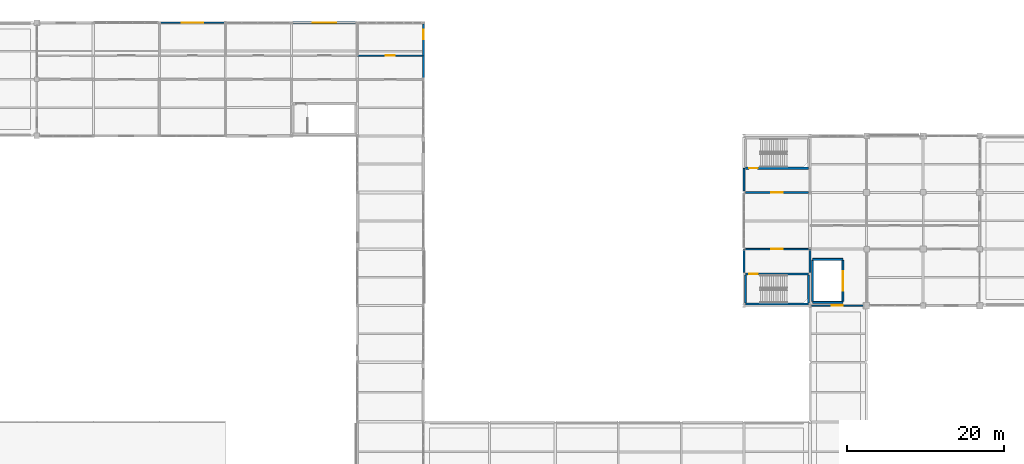
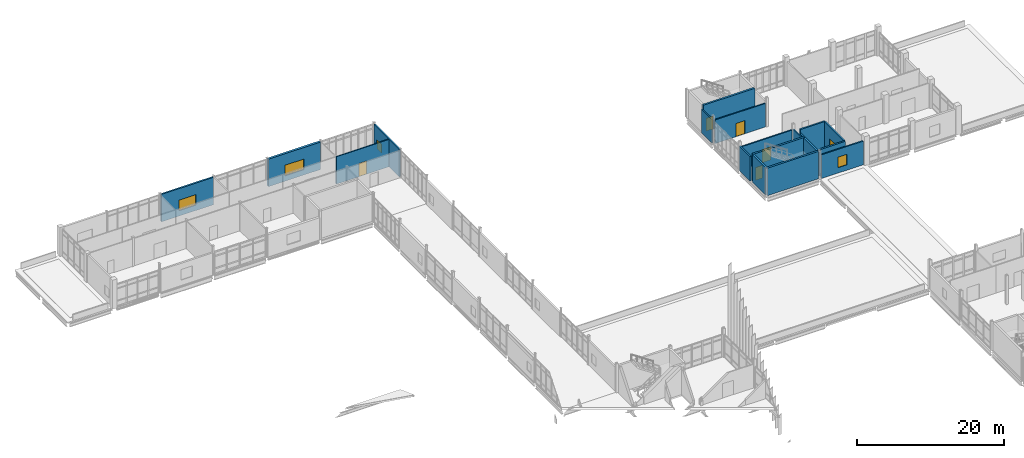
# One storey, part 131 of 153: 19 walls, 6 doors, 4 windows, 10 openings.
"""IFC4 building model written with IfcOpenShell, lengths in metres."""

from ifc_helpers import new_model, si_unit, direction, frame, frame_2d, origin, place, context, subcontext, project, spatial, rectangle, extrude, material, layer, layer_set, type_object, element, fill, save


model = new_model("IFC4")

# Units and contexts
model_context = context("Model", 3, precision=1e-05, world=origin(), true_north=direction((0.0, 1.0)))
body_context = subcontext(model_context, "Body", "Model", "MODEL_VIEW")
ifc_project = project(units=[si_unit("LENGTHUNIT", "METRE"), si_unit("AREAUNIT", "SQUARE_METRE"), si_unit("VOLUMEUNIT", "CUBIC_METRE"), si_unit("PLANEANGLEUNIT", "RADIAN"), si_unit("MASSUNIT", "GRAM", prefix="KILO")], contexts=[model_context])

# Site, building, storey
site_placement = place(None, origin())
site = spatial("IfcSite", under=ifc_project, at=site_placement, CompositionType="ELEMENT")
building_placement = place(site_placement, origin())
building = spatial("IfcBuilding", under=site, at=building_placement, Name="Calvrana Isthmian Art Gallery", CompositionType="ELEMENT")
storey_placement = place(building_placement, frame((0.0, 0.0, 10.199951171875)))
storey = spatial("IfcBuildingStorey", under=building, at=storey_placement, Name="L02", CompositionType="ELEMENT", Elevation=10.199951171875)

# Wall
ifc_material_1 = material(Name="Concrete C40/50", Category="concrete")
ifc_layer_1 = layer(ifc_material_1, 0.300048828125, Name="Concrete C40/50")
ifc_layer_set_1 = layer_set([ifc_layer_1], Name="Concrete C40/50")
wall_type_1 = type_object("IfcWallType", Name="CW-SHAFT-300", PredefinedType="SHEAR", material=ifc_layer_set_1)
wall_1_placement = place(storey_placement, frame((104.590087890625, 77.0, 0.0), z_axis=(0.0, 0.0, 1.0), x_axis=(1.0, 0.0, 0.0)))
element("IfcWall", 1, at=wall_1_placement, inside=storey, type_object=wall_type_1, Name="Core C5 shear wall S L02", PredefinedType="SHEAR", context=body_context, shape_type="SweptSolid", body=[
    extrude(rectangle(XDim=8.02001953125, YDim=0.300048828125, at=frame_2d((4.010009765625, 0.0))), origin(), (0.0, 0.0, 1.0), 4.56005859375),
])

# Wall, opening, door
wall_2_placement = place(storey_placement, frame((104.590087890625, 80.820068359375, 0.0), z_axis=(0.0, 0.0, 1.0), x_axis=(1.0, 0.0, 0.0)))
wall_2 = element("IfcWall", 2, at=wall_2_placement, inside=storey, type_object=wall_type_1, Name="Core C5 shear wall N L02", PredefinedType="SHEAR", context=body_context, shape_type="SweptSolid", body=[
    extrude(rectangle(XDim=8.02001953125, YDim=0.300048828125, at=frame_2d((4.010009765625, 0.0))), origin(), (0.0, 0.0, 1.0), 4.56005859375),
])
opening_1_placement = place(wall_2_placement, frame((0.449951171875, 0.0, 0.0)))
opening_1 = element("IfcOpeningElement", 3, at=opening_1_placement, cuts=wall_2, Name="Opening D-162", PredefinedType="OPENING", context=body_context, shape_type="SweptSolid", body=[
    extrude(rectangle(XDim=1.10009765625, YDim=2.14990234375, at=frame_2d((0.550048828125, 1.074951171875))), frame((0.0, 0.16015625, 0.0), z_axis=(0.0, -1.0, 0.0), x_axis=(1.0, 0.0, 0.0)), (0.0, 0.0, 1.0), 0.320556640625),
])
ifc_material_2 = material(Name="Steel ASTM A572 Gr 50", Category="steel")
door_type_1 = type_object("IfcDoorType", Name="DR-FIRE-1100", OperationType="NOTDEFINED", PredefinedType="DOOR", material=ifc_material_2)
door_1_placement = place(opening_1_placement, origin())
door_1 = element("IfcDoor", 4, at=door_1_placement, inside=storey, type_object=door_type_1, Name="Stair ST-5 fire door L02", OperationType="SINGLE_SWING_RIGHT", OverallHeight=2.14990234375, OverallWidth=1.10009765625, PredefinedType="DOOR", context=body_context, shape_type="SweptSolid", body=[
    extrude(rectangle(XDim=1.10009765625, YDim=2.14990234375, at=frame_2d((0.550048828125, 1.074951171875))), frame((0.0, 0.02490234375, 0.0), z_axis=(0.0, -1.0, 0.0), x_axis=(1.0, 0.0, 0.0)), (0.0, 0.0, 1.0), 0.050048828125),
])
fill(opening_1, door_1)

# Walls
for number, where, z_axis, x_axis, name in (
    (5, (104.590087890625, 77.14990234375, 0.0), (0.0, 0.0, 1.0), (0.0, 1.0, 0.0), "Core C5 shear wall W L02"),
    (6, (112.610107421875, 77.14990234375, 0.0), (0.0, 0.0, 1.0), (0.0, 1.0, 0.0), "Core C5 shear wall E L02"),
):
    element("IfcWall", number, at=place(storey_placement, frame(where, z_axis=z_axis, x_axis=x_axis)), inside=storey, type_object=wall_type_1, Name=name, PredefinedType="SHEAR", context=body_context, shape_type="SweptSolid", body=[
        extrude(rectangle(XDim=3.52001953125, YDim=0.300048828125, at=frame_2d((1.760009765625, 0.0))), origin(), (0.0, 0.0, 1.0), 4.56005859375),
    ])

# Wall, opening, door
wall_3_placement = place(storey_placement, frame((104.590087890625, 94.280029296875, 0.0), z_axis=(0.0, 0.0, 1.0), x_axis=(1.0, 0.0, 0.0)))
wall_3 = element("IfcWall", 7, at=wall_3_placement, inside=storey, type_object=wall_type_1, Name="Core C8 shear wall S L02", PredefinedType="SHEAR", context=body_context, shape_type="SweptSolid", body=[
    extrude(rectangle(XDim=8.02001953125, YDim=0.300048828125, at=frame_2d((4.010009765625, 0.0))), origin(), (0.0, 0.0, 1.0), 4.56005859375),
])
opening_2_placement = place(wall_3_placement, frame((0.449951171875, 0.0, 0.0)))
opening_2 = element("IfcOpeningElement", 8, at=opening_2_placement, cuts=wall_3, Name="Opening D-186", PredefinedType="OPENING", context=body_context, shape_type="SweptSolid", body=[
    extrude(rectangle(XDim=1.10009765625, YDim=2.14990234375, at=frame_2d((0.550048828125, 1.074951171875))), frame((0.0, 0.16015625, 0.0), z_axis=(0.0, -1.0, 0.0), x_axis=(1.0, 0.0, 0.0)), (0.0, 0.0, 1.0), 0.320556640625),
])
door_2_placement = place(opening_2_placement, origin())
door_2 = element("IfcDoor", 9, at=door_2_placement, inside=storey, type_object=door_type_1, Name="Stair ST-8 fire door L02", OperationType="SINGLE_SWING_RIGHT", OverallHeight=2.14990234375, OverallWidth=1.10009765625, PredefinedType="DOOR", context=body_context, shape_type="SweptSolid", body=[
    extrude(rectangle(XDim=1.10009765625, YDim=2.14990234375, at=frame_2d((0.550048828125, 1.074951171875))), frame((0.0, 0.02490234375, 0.0), z_axis=(0.0, -1.0, 0.0), x_axis=(1.0, 0.0, 0.0)), (0.0, 0.0, 1.0), 0.050048828125),
])
fill(opening_2, door_2)

# Wall, opening, window
ifc_material_3 = material(Name="Precast concrete C40/50", Category="concrete")
ifc_layer_2 = layer(ifc_material_3, 0.219970703125, Name="Precast concrete C40/50")
ifc_layer_set_2 = layer_set([ifc_layer_2], Name="Precast concrete C40/50")
wall_type_2 = type_object("IfcWallType", Name="EW-ACOUST-220", PredefinedType="SOLIDWALL", material=ifc_layer_set_2)
wall_4_placement = place(storey_placement, frame((119.60009765625, 76.800048828125, 0.0), z_axis=(0.0, 0.0, 1.0), x_axis=(-1.0, 0.0, 0.0)))
wall_4 = element("IfcWall", 10, at=wall_4_placement, inside=storey, type_object=wall_type_2, Name="Exterior wall EW-121", PredefinedType="SOLIDWALL", context=body_context, shape_type="SweptSolid", body=[
    extrude(rectangle(XDim=6.613525390625, YDim=0.219970703125, at=frame_2d((3.306640625, 0.0))), origin(), (0.0, 0.0, 1.0), 3.93310546875),
])
opening_3_placement = place(wall_4_placement, frame((2.606689453125, 0.0, 0.89990234375)))
opening_3 = element("IfcOpeningElement", 11, at=opening_3_placement, cuts=wall_4, Name="Opening W-079", PredefinedType="OPENING", context=body_context, shape_type="SweptSolid", body=[
    extrude(rectangle(XDim=1.39990234375, YDim=1.75, at=frame_2d((0.699951171875, 0.875))), frame((0.0, 0.1201171875, 0.0), z_axis=(0.0, -1.0, 0.0), x_axis=(1.0, 0.0, 0.0)), (0.0, 0.0, 1.0), 0.240478515625),
])
ifc_material_4 = material(Name="Low-E laminated solar glass", Category="glass")
window_type_1 = type_object("IfcWindowType", Name="WN-G09", PartitioningType="SINGLE_PANEL", PredefinedType="WINDOW", material=ifc_material_4)
window_1_placement = place(opening_3_placement, origin())
window_1 = element("IfcWindow", 12, at=window_1_placement, inside=storey, type_object=window_type_1, Name="Facade window W-079", OverallHeight=1.75, OverallWidth=1.39990234375, PartitioningType="SINGLE_PANEL", PredefinedType="WINDOW", context=body_context, shape_type="SweptSolid", body=[
    extrude(rectangle(XDim=1.39990234375, YDim=1.75, at=frame_2d((0.699951171875, 0.875))), frame((0.0, 0.030029296875, 0.0), z_axis=(0.0, -1.0, 0.0), x_axis=(1.0, 0.0, 0.0)), (0.0, 0.0, 1.0), 0.06005859375),
])
fill(opening_3, window_1)

wall_5_placement = place(storey_placement, frame((63.60009765625, 112.647705078125, 0.0), z_axis=(0.0, 0.0, 1.0), x_axis=(0.0, -1.0, 0.0)))
wall_5 = element("IfcWall", 13, at=wall_5_placement, inside=storey, type_object=wall_type_2, Name="Exterior wall EW-137", PredefinedType="SOLIDWALL", context=body_context, shape_type="SweptSolid", body=[
    extrude(rectangle(XDim=6.895263671875, YDim=0.219970703125, at=frame_2d((3.44775390625, 0.0))), origin(), (0.0, 0.0, 1.0), 4.56005859375),
])
opening_4_placement = place(wall_5_placement, frame((0.75, 0.0, 0.89990234375)))
opening_4 = element("IfcOpeningElement", 14, at=opening_4_placement, cuts=wall_5, Name="Opening W-094", PredefinedType="OPENING", context=body_context, shape_type="SweptSolid", body=[
    extrude(rectangle(XDim=1.199951171875, YDim=1.5, at=frame_2d((0.60009765625, 0.75))), frame((0.0, 0.1201171875, 0.0), z_axis=(0.0, -1.0, 0.0), x_axis=(1.0, 0.0, 0.0)), (0.0, 0.0, 1.0), 0.240478515625),
])
window_type_2 = type_object("IfcWindowType", Name="WN-G01", PartitioningType="SINGLE_PANEL", PredefinedType="WINDOW", material=ifc_material_4)
window_2_placement = place(opening_4_placement, origin())
window_2 = element("IfcWindow", 15, at=window_2_placement, inside=storey, type_object=window_type_2, Name="Facade window W-094", OverallHeight=1.5, OverallWidth=1.199951171875, PartitioningType="SINGLE_PANEL", PredefinedType="WINDOW", context=body_context, shape_type="SweptSolid", body=[
    extrude(rectangle(XDim=1.199951171875, YDim=1.5, at=frame_2d((0.60009765625, 0.75))), frame((0.0, 0.030029296875, 0.0), z_axis=(0.0, -1.0, 0.0), x_axis=(1.0, 0.0, 0.0)), (0.0, 0.0, 1.0), 0.06005859375),
])
fill(opening_4, window_2)

ifc_layer_3 = layer(ifc_material_3, 0.35009765625, Name="Precast concrete C40/50")
ifc_layer_set_3 = layer_set([ifc_layer_3], Name="Precast concrete C40/50")
wall_type_3 = type_object("IfcWallType", Name="EW-PREC-350", PredefinedType="SOLIDWALL", material=ifc_layer_set_3)
wall_6_placement = place(storey_placement, frame((46.927001953125, 112.800048828125, 0.0), z_axis=(0.0, 0.0, 1.0), x_axis=(1.0, 0.0, 0.0)))
wall_6 = element("IfcWall", 16, at=wall_6_placement, inside=storey, type_object=wall_type_3, Name="Exterior wall EW-128", PredefinedType="SOLIDWALL", context=body_context, shape_type="SweptSolid", body=[
    extrude(rectangle(XDim=8.17138671875, YDim=0.35009765625, at=frame_2d((4.085693359375, 0.0))), origin(), (0.0, 0.0, 1.0), 4.56005859375),
])
opening_5_placement = place(wall_6_placement, frame((2.585693359375, 0.0, 0.89990234375)))
opening_5 = element("IfcOpeningElement", 17, at=opening_5_placement, cuts=wall_6, Name="Opening W-085", PredefinedType="OPENING", context=body_context, shape_type="SweptSolid", body=[
    extrude(rectangle(XDim=3.0, YDim=1.75, at=frame_2d((1.5, 0.875))), frame((0.0, 0.185302734375, 0.0), z_axis=(0.0, -1.0, 0.0), x_axis=(1.0, 0.0, 0.0)), (0.0, 0.0, 1.0), 0.37060546875),
])
window_type_3 = type_object("IfcWindowType", Name="WN-G15", PartitioningType="DOUBLE_PANEL_VERTICAL", PredefinedType="WINDOW", material=ifc_material_4)
window_3_placement = place(opening_5_placement, origin())
window_3 = element("IfcWindow", 18, at=window_3_placement, inside=storey, type_object=window_type_3, Name="Facade window W-085", OverallHeight=1.75, OverallWidth=3.0, PartitioningType="SINGLE_PANEL", PredefinedType="WINDOW", context=body_context, shape_type="SweptSolid", body=[
    extrude(rectangle(XDim=3.0, YDim=1.75, at=frame_2d((1.5, 0.875))), frame((0.0, 0.030029296875, 0.0), z_axis=(0.0, -1.0, 0.0), x_axis=(1.0, 0.0, 0.0)), (0.0, 0.0, 1.0), 0.06005859375),
])
fill(opening_5, window_3)

ifc_material_5 = material(Name="Polychrome glazed terracotta", Category="masonry")
ifc_layer_4 = layer(ifc_material_5, 0.25, Name="Polychrome glazed terracotta")
ifc_layer_set_4 = layer_set([ifc_layer_4], Name="Polychrome glazed terracotta")
wall_type_4 = type_object("IfcWallType", Name="EW-TERRA-250", PredefinedType="SOLIDWALL", material=ifc_layer_set_4)
wall_7_placement = place(storey_placement, frame((30.15234375, 112.800048828125, 0.0), z_axis=(0.0, 0.0, 1.0), x_axis=(1.0, 0.0, 0.0)))
wall_7 = element("IfcWall", 19, at=wall_7_placement, inside=storey, type_object=wall_type_4, Name="Exterior wall EW-127", PredefinedType="SOLIDWALL", context=body_context, shape_type="SweptSolid", body=[
    extrude(rectangle(XDim=8.14599609375, YDim=0.25, at=frame_2d((4.072998046875, 0.0))), origin(), (0.0, 0.0, 1.0), 4.56005859375),
])
opening_6_placement = place(wall_7_placement, frame((2.722900390625, 0.0, 0.89990234375)))
opening_6 = element("IfcOpeningElement", 20, at=opening_6_placement, cuts=wall_7, Name="Opening W-084", PredefinedType="OPENING", context=body_context, shape_type="SweptSolid", body=[
    extrude(rectangle(XDim=2.699951171875, YDim=1.75, at=frame_2d((1.35009765625, 0.875))), frame((0.0, 0.13525390625, 0.0), z_axis=(0.0, -1.0, 0.0), x_axis=(1.0, 0.0, 0.0)), (0.0, 0.0, 1.0), 0.2705078125),
])
window_type_4 = type_object("IfcWindowType", Name="WN-G14", PartitioningType="DOUBLE_PANEL_VERTICAL", PredefinedType="WINDOW", material=ifc_material_4)
window_4_placement = place(opening_6_placement, origin())
window_4 = element("IfcWindow", 21, at=window_4_placement, inside=storey, type_object=window_type_4, Name="Facade window W-084", OverallHeight=1.75, OverallWidth=2.699951171875, PartitioningType="SINGLE_PANEL", PredefinedType="WINDOW", context=body_context, shape_type="SweptSolid", body=[
    extrude(rectangle(XDim=2.699951171875, YDim=1.75, at=frame_2d((1.35009765625, 0.875))), frame((0.0, 0.030029296875, 0.0), z_axis=(0.0, -1.0, 0.0), x_axis=(1.0, 0.0, 0.0)), (0.0, 0.0, 1.0), 0.06005859375),
])
fill(opening_6, window_4)

# Walls
ifc_material_6 = material(Name="Acoustic gypsum ceiling", Category="gypsum")
ifc_layer_5 = layer(ifc_material_6, 0.199951171875, Name="Acoustic gypsum ceiling")
ifc_layer_set_5 = layer_set([ifc_layer_5], Name="Acoustic gypsum ceiling")
wall_type_5 = type_object("IfcWallType", Name="PW-FIRE-200", PredefinedType="PARTITIONING", material=ifc_layer_set_5)
wall_8_placement = place(storey_placement, frame((104.39990234375, 81.0400390625, 0.0), z_axis=(0.0, 0.0, 1.0), x_axis=(0.0, 1.0, 0.0)))
element("IfcWall", 22, at=wall_8_placement, inside=storey, type_object=wall_type_5, Name="Core C5 lobby W closure L02", PredefinedType="PARTITIONING", context=body_context, shape_type="SweptSolid", body=[
    extrude(rectangle(XDim=2.93994140625, YDim=0.199951171875, at=frame_2d((1.469970703125, 0.0))), origin(), (0.0, 0.0, 1.0), 4.078125),
])
wall_9_placement = place(storey_placement, frame((112.800048828125, 81.0400390625, 0.0), z_axis=(0.0, 0.0, 1.0), x_axis=(0.0, 1.0, 0.0)))
element("IfcWall", 23, at=wall_9_placement, inside=storey, type_object=wall_type_5, Name="Core C5 lobby E closure L02", PredefinedType="PARTITIONING", context=body_context, shape_type="SweptSolid", body=[
    extrude(rectangle(XDim=2.93994140625, YDim=0.199951171875, at=frame_2d((1.469970703125, 0.0))), origin(), (0.0, 0.0, 1.0), 3.927978515625),
])

# Wall, opening, door
wall_10_placement = place(storey_placement, frame((104.6201171875, 84.0, 0.0), z_axis=(0.0, 0.0, 1.0), x_axis=(1.0, 0.0, 0.0)))
wall_10 = element("IfcWall", 24, at=wall_10_placement, inside=storey, type_object=wall_type_5, Name="Core C5 lobby enclosure L02", PredefinedType="PARTITIONING", context=body_context, shape_type="SweptSolid", body=[
    extrude(rectangle(XDim=7.9599609375, YDim=0.199951171875, at=frame_2d((3.97998046875, 0.0))), origin(), (0.0, 0.0, 1.0), 3.84716796875),
])
opening_7_placement = place(wall_10_placement, frame((3.2548828125, 0.0, 0.0)))
opening_7 = element("IfcOpeningElement", 25, at=opening_7_placement, cuts=wall_10, Name="Opening D-163", PredefinedType="OPENING", context=body_context, shape_type="SweptSolid", body=[
    extrude(rectangle(XDim=1.449951171875, YDim=2.199951171875, at=frame_2d((0.72509765625, 1.10009765625))), frame((0.0, 0.1103515625, 0.0), z_axis=(0.0, -1.0, 0.0), x_axis=(1.0, 0.0, 0.0)), (0.0, 0.0, 1.0), 0.220458984375),
])
door_type_2 = type_object("IfcDoorType", Name="DR-LOBBY-1450", OperationType="DOUBLE_DOOR_SINGLE_SWING", PredefinedType="DOOR", material=ifc_material_2)
door_3_placement = place(opening_7_placement, origin())
door_3 = element("IfcDoor", 26, at=door_3_placement, inside=storey, type_object=door_type_2, Name="Core C5 lobby fire door L02", OperationType="DOUBLE_DOOR_SINGLE_SWING", OverallHeight=2.199951171875, OverallWidth=1.449951171875, PredefinedType="DOOR", context=body_context, shape_type="SweptSolid", body=[
    extrude(rectangle(XDim=1.449951171875, YDim=2.199951171875, at=frame_2d((0.72509765625, 1.10009765625))), frame((0.0, 0.02490234375, 0.0), z_axis=(0.0, -1.0, 0.0), x_axis=(1.0, 0.0, 0.0)), (0.0, 0.0, 1.0), 0.050048828125),
])
fill(opening_7, door_3)

# Wall
wall_11_placement = place(storey_placement, frame((104.39990234375, 91.419921875, 0.0), z_axis=(0.0, 0.0, 1.0), x_axis=(0.0, 1.0, 0.0)))
element("IfcWall", 27, at=wall_11_placement, inside=storey, type_object=wall_type_5, Name="Core C8 lobby W closure L02", PredefinedType="PARTITIONING", context=body_context, shape_type="SweptSolid", body=[
    extrude(rectangle(XDim=2.840087890625, YDim=0.199951171875, at=frame_2d((1.419921875, 0.0))), origin(), (0.0, 0.0, 1.0), 3.93310546875),
])

# Wall, opening, door
wall_12_placement = place(storey_placement, frame((104.6201171875, 91.199951171875, 0.0), z_axis=(0.0, 0.0, 1.0), x_axis=(1.0, 0.0, 0.0)))
wall_12 = element("IfcWall", 28, at=wall_12_placement, inside=storey, type_object=wall_type_5, Name="Core C8 lobby enclosure L02", PredefinedType="PARTITIONING", context=body_context, shape_type="SweptSolid", body=[
    extrude(rectangle(XDim=7.9599609375, YDim=0.199951171875, at=frame_2d((3.97998046875, 0.0))), origin(), (0.0, 0.0, 1.0), 3.91796875),
])
opening_8_placement = place(wall_12_placement, frame((3.2548828125, 0.0, 0.0)))
opening_8 = element("IfcOpeningElement", 29, at=opening_8_placement, cuts=wall_12, Name="Opening D-187", PredefinedType="OPENING", context=body_context, shape_type="SweptSolid", body=[
    extrude(rectangle(XDim=1.449951171875, YDim=2.199951171875, at=frame_2d((0.72509765625, 1.10009765625))), frame((0.0, 0.1103515625, 0.0), z_axis=(0.0, -1.0, 0.0), x_axis=(1.0, 0.0, 0.0)), (0.0, 0.0, 1.0), 0.220458984375),
])
door_4_placement = place(opening_8_placement, origin())
door_4 = element("IfcDoor", 30, at=door_4_placement, inside=storey, type_object=door_type_2, Name="Core C8 lobby fire door L02", OperationType="DOUBLE_DOOR_SINGLE_SWING", OverallHeight=2.199951171875, OverallWidth=1.449951171875, PredefinedType="DOOR", context=body_context, shape_type="SweptSolid", body=[
    extrude(rectangle(XDim=1.449951171875, YDim=2.199951171875, at=frame_2d((0.72509765625, 1.10009765625))), frame((0.0, 0.02490234375, 0.0), z_axis=(0.0, -1.0, 0.0), x_axis=(1.0, 0.0, 0.0)), (0.0, 0.0, 1.0), 0.050048828125),
])
fill(opening_8, door_4)

ifc_layer_6 = layer(ifc_material_6, 0.159912109375, Name="Acoustic gypsum ceiling")
ifc_layer_set_6 = layer_set([ifc_layer_6], Name="Acoustic gypsum ceiling")
wall_type_6 = type_object("IfcWallType", Name="PW-GAL-160", PredefinedType="PARTITIONING", material=ifc_layer_set_6)
wall_13_placement = place(storey_placement, frame((55.2099609375, 108.610107421875, 0.0), z_axis=(0.0, 0.0, 1.0), x_axis=(1.0, 0.0, 0.0)))
wall_13 = element("IfcWall", 31, at=wall_13_placement, inside=storey, type_object=wall_type_6, Name="Interior partition PW-517", PredefinedType="PARTITIONING", context=body_context, shape_type="SweptSolid", body=[
    extrude(rectangle(XDim=8.330078125, YDim=0.159912109375, at=frame_2d((4.1650390625, 0.0))), origin(), (0.0, 0.0, 1.0), 4.5400390625),
])
opening_9_placement = place(wall_13_placement, frame((3.590087890625, 0.0, 0.0)))
opening_9 = element("IfcOpeningElement", 32, at=opening_9_placement, cuts=wall_13, Name="Opening D-467", PredefinedType="OPENING", context=body_context, shape_type="SweptSolid", body=[
    extrude(rectangle(XDim=1.14990234375, YDim=2.199951171875, at=frame_2d((0.574951171875, 1.10009765625))), frame((0.0, 0.09033203125, 0.0), z_axis=(0.0, -1.0, 0.0), x_axis=(1.0, 0.0, 0.0)), (0.0, 0.0, 1.0), 0.180419921875),
])
ifc_material_7 = material(Name="Timber gallery flooring", Category="wood")
door_type_3 = type_object("IfcDoorType", Name="DR-RM-1150", OperationType="NOTDEFINED", PredefinedType="DOOR", material=ifc_material_7)
door_5_placement = place(opening_9_placement, origin())
door_5 = element("IfcDoor", 33, at=door_5_placement, inside=storey, type_object=door_type_3, Name="Interior door D-467", OperationType="SINGLE_SWING_LEFT", OverallHeight=2.199951171875, OverallWidth=1.14990234375, PredefinedType="DOOR", context=body_context, shape_type="SweptSolid", body=[
    extrude(rectangle(XDim=1.14990234375, YDim=2.199951171875, at=frame_2d((0.574951171875, 1.10009765625))), frame((0.0, 0.02490234375, 0.0), z_axis=(0.0, -1.0, 0.0), x_axis=(1.0, 0.0, 0.0)), (0.0, 0.0, 1.0), 0.050048828125),
])
fill(opening_9, door_5)

# Walls
ifc_material_8 = material(Name="Concrete C35/45", Category="concrete")
ifc_layer_7 = layer(ifc_material_8, 0.25, Name="Concrete C35/45")
ifc_layer_set_7 = layer_set([ifc_layer_7], Name="Concrete C35/45")
wall_type_7 = type_object("IfcWallType", Name="PW-SHAFT-250", PredefinedType="PARTITIONING", material=ifc_layer_set_7)
for number, where, z_axis, x_axis, name in (
    (34, (113.1201171875, 82.679931640625, 0.0), (0.0, 0.0, 1.0), (1.0, 0.0, 0.0), "Goods lift L-G2 shaft N L02"),
    (35, (113.1201171875, 77.219970703125, 0.0), (0.0, 0.0, 1.0), (1.0, 0.0, 0.0), "Goods lift L-G2 shaft S L02"),
):
    element("IfcWall", number, at=place(storey_placement, frame(where, z_axis=z_axis, x_axis=x_axis)), inside=storey, type_object=wall_type_7, Name=name, PredefinedType="PARTITIONING", context=body_context, shape_type="SweptSolid", body=[
        extrude(rectangle(XDim=3.85986328125, YDim=0.25, at=frame_2d((1.929931640625, 0.0))), origin(), (0.0, 0.0, 1.0), 4.56005859375),
    ])
wall_14_placement = place(storey_placement, frame((113.1201171875, 77.35009765625, 0.0), z_axis=(0.0, 0.0, 1.0), x_axis=(0.0, 1.0, 0.0)))
element("IfcWall", 36, at=wall_14_placement, inside=storey, type_object=wall_type_7, Name="Goods lift L-G2 shaft W L02", PredefinedType="PARTITIONING", context=body_context, shape_type="SweptSolid", body=[
    extrude(rectangle(XDim=5.199951171875, YDim=0.25, at=frame_2d((2.60009765625, 0.0))), origin(), (0.0, 0.0, 1.0), 3.927978515625),
])

# Wall, opening, door
wall_15_placement = place(storey_placement, frame((116.97998046875, 77.35009765625, 0.0), z_axis=(0.0, 0.0, 1.0), x_axis=(0.0, 1.0, 0.0)))
wall_15 = element("IfcWall", 37, at=wall_15_placement, inside=storey, type_object=wall_type_7, Name="Goods lift L-G2 shaft E L02", PredefinedType="PARTITIONING", context=body_context, shape_type="SweptSolid", body=[
    extrude(rectangle(XDim=5.199951171875, YDim=0.25, at=frame_2d((2.60009765625, 0.0))), origin(), (0.0, 0.0, 1.0), 4.56005859375),
])
opening_10_placement = place(wall_15_placement, frame((1.35009765625, 0.0, 0.0)))
opening_10 = element("IfcOpeningElement", 38, at=opening_10_placement, cuts=wall_15, Name="Opening LD-G2-L02", PredefinedType="OPENING", context=body_context, shape_type="SweptSolid", body=[
    extrude(rectangle(XDim=2.5, YDim=2.60009765625, at=frame_2d((1.25, 1.300048828125))), frame((0.0, 0.13525390625, 0.0), z_axis=(0.0, -1.0, 0.0), x_axis=(1.0, 0.0, 0.0)), (0.0, 0.0, 1.0), 0.2705078125),
])
ifc_material_9 = material(Name="Stainless steel 316", Category="steel")
door_type_4 = type_object("IfcDoorType", Name="DR-GLIFT-2500", OperationType="DOUBLE_DOOR_SLIDING", PredefinedType="DOOR", material=ifc_material_9)
door_6_placement = place(opening_10_placement, origin())
door_6 = element("IfcDoor", 39, at=door_6_placement, inside=storey, type_object=door_type_4, Name="Freight goods lift L-G2 sliding door L02", OperationType="DOUBLE_DOOR_SLIDING", OverallHeight=2.60009765625, OverallWidth=2.5, PredefinedType="DOOR", context=body_context, shape_type="SweptSolid", body=[
    extrude(rectangle(XDim=2.5, YDim=2.60009765625, at=frame_2d((1.25, 1.300048828125))), frame((0.0, 0.02490234375, 0.0), z_axis=(0.0, -1.0, 0.0), x_axis=(1.0, 0.0, 0.0)), (0.0, 0.0, 1.0), 0.050048828125),
])
fill(opening_10, door_6)

save(model, "model.ifc")
